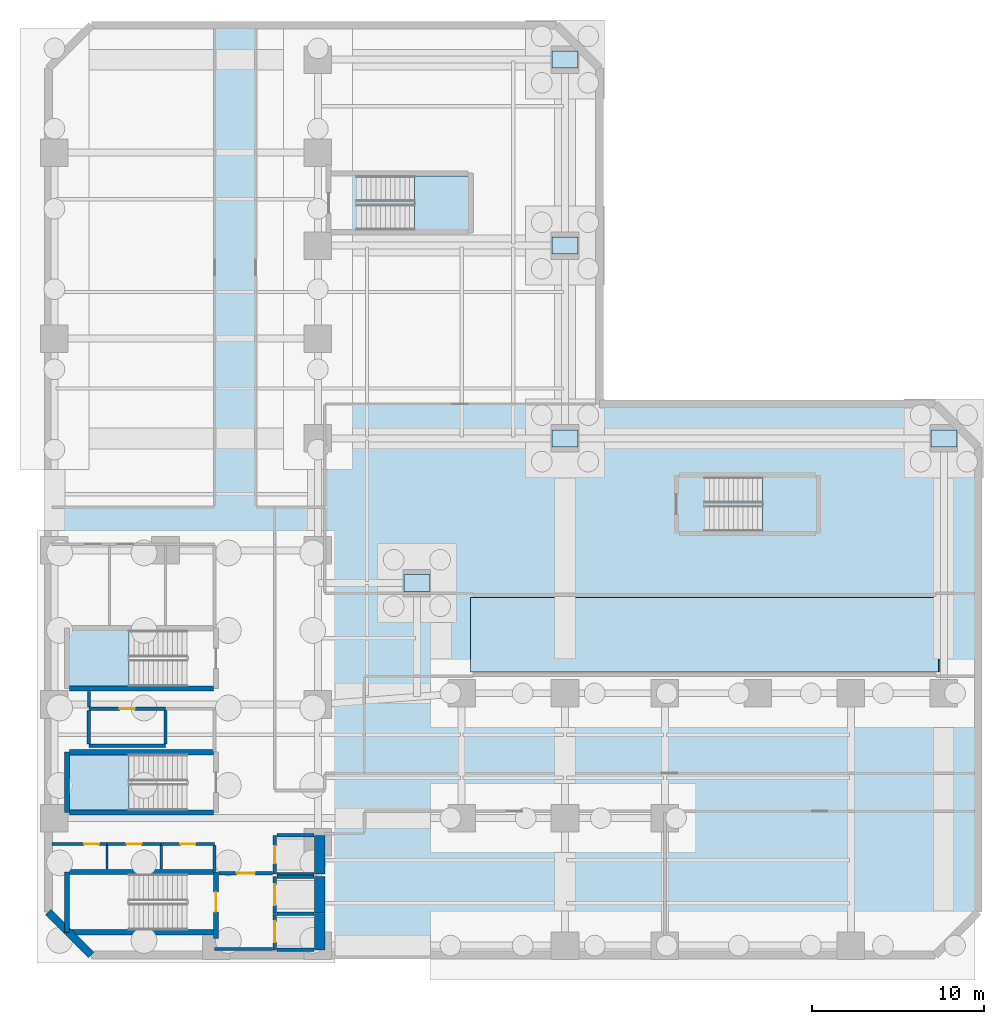
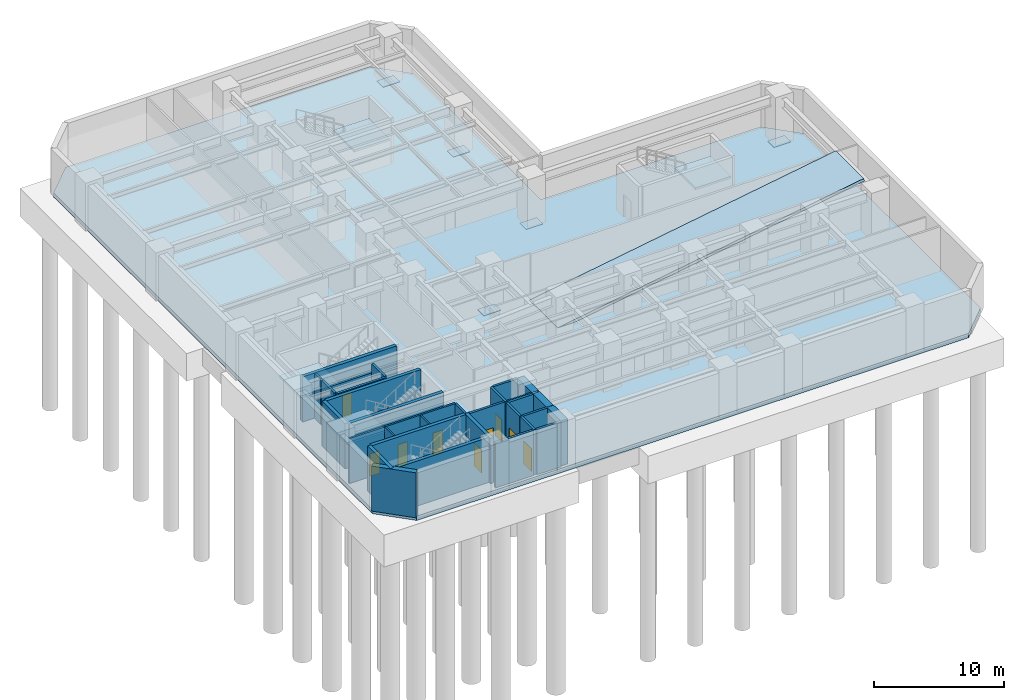
# One storey, part 3 of 10: 33 walls, 9 doors, 6 slabs, 5 plates, 9 openings, 4 elements without a shape of their own.
"""IFC4 building model written with IfcOpenShell, lengths in metres."""

from ifc_helpers import new_model, si_unit, direction, frame, frame_2d, origin, origin_2d, place, context, subcontext, project, spatial, polyline, rectangle, outline, extrude, material, layer, layer_set, type_object, element, fill, aggregate, save


model = new_model("IFC4")

# Units and contexts
model_context = context("Model", 3, precision=1e-05, world=origin(), true_north=direction((0.0, 1.0)))
body_context = subcontext(model_context, "Body", "Model", "MODEL_VIEW")
ifc_project = project(units=[si_unit("LENGTHUNIT", "METRE"), si_unit("AREAUNIT", "SQUARE_METRE"), si_unit("VOLUMEUNIT", "CUBIC_METRE"), si_unit("PLANEANGLEUNIT", "RADIAN"), si_unit("MASSUNIT", "GRAM", prefix="KILO")], contexts=[model_context])

# Site, building, storey
site_placement = place(None, origin())
site = spatial("IfcSite", under=ifc_project, at=site_placement, CompositionType="ELEMENT")
building_placement = place(site_placement, origin())
building = spatial("IfcBuilding", under=site, at=building_placement, Name="Mawjaban Terraces University", CompositionType="ELEMENT")
storey_placement = place(building_placement, frame((0.0, 0.0, -9.0)))
storey = spatial("IfcBuildingStorey", under=building, at=storey_placement, Name="B2", CompositionType="ELEMENT", Elevation=-9.0)

# Slab
ifc_material_1 = material(Name="Concrete C50/60", Category="concrete")
ifc_layer_1 = layer(ifc_material_1, 0.39990234375)
ifc_layer_set_1 = layer_set([ifc_layer_1], Name="Concrete C50/60")
slab_type_1 = type_object("IfcSlabType", Name="BaseSlab_400", PredefinedType="BASESLAB", material=ifc_layer_set_1)
slab_1_placement = place(storey_placement, frame((0.0, 0.0, -0.39990234375)))
element("IfcSlab", 1, at=slab_1_placement, inside=storey, type_object=slab_type_1, Name="B2 Primary Structural Slab", PredefinedType="BASESLAB", context=body_context, shape_type="SweptSolid", body=[
    extrude(outline(polyline([(24.5, 0.0), (73.5, 0.0), (76.0, 2.5), (76.0, 29.5), (73.5, 32.0), (54.0, 32.0), (54.0, 51.5), (51.5, 54.0), (24.5, 54.0), (22.0, 51.5), (22.0, 2.5), (24.5, 0.0)])), origin(), (0.0, 0.0, 1.0), 0.39990234375),
])

# Plates
ifc_material_2 = material(Name="Steel ASTM A572 Grade 50", Category="steel")
ifc_layer_2 = layer(ifc_material_2, 0.06005859375)
ifc_layer_set_2 = layer_set([ifc_layer_2], Name="Steel ASTM A572 Grade 50")
plate_type = type_object("IfcPlateType", Name="ColumnBasePlate_60", PredefinedType="USERDEFINED", material=ifc_layer_set_2)
for number, where, z_axis, x_axis, name in (
    (2, (43.39990234375, 21.60009765625, -0.400146484375), (0.0, 0.0, 1.0), (1.0, 0.0, 0.0), "Base Plate TS1"),
    (3, (52.0, 30.0, -0.400146484375), (0.0, 0.0, 1.0), (1.0, 0.0, 0.0), "Base Plate PM1"),
    (4, (74.0, 30.0, -0.400146484375), (0.0, 0.0, 1.0), (1.0, 0.0, 0.0), "Base Plate PM2"),
    (5, (52.0, 41.199951171875, -0.400146484375), (0.0, 0.0, 1.0), (1.0, 0.0, 0.0), "Base Plate PM3"),
    (6, (52.0, 52.0, -0.400146484375), (0.0, 0.0, 1.0), (1.0, 0.0, 0.0), "Base Plate PM4"),
):
    element("IfcPlate", number, at=place(storey_placement, frame(where, z_axis=z_axis, x_axis=x_axis)), inside=storey, type_object=plate_type, Name=name, ObjectType="BASE_PLATE", PredefinedType="USERDEFINED", context=body_context, shape_type="SweptSolid", body=[
        extrude(rectangle(XDim=1.5, YDim=1.0, at=origin_2d()), origin(), (0.0, 0.0, 1.0), 0.06005859375),
    ])

# Stair, slab
ifc_material_3 = material(Name="Concrete C40/50", Category="concrete")
stair_type_1 = type_object("IfcStairType", Name="Stair_Core1550_H45", PredefinedType="HALF_TURN_STAIR", material=ifc_material_3)
stair_1_placement = place(storey_placement, origin())
stair_1 = element("IfcStair", 7, at=stair_1_placement, inside=storey, type_object=stair_type_1, Name="B2 Core Exit Stair 2", PredefinedType="HALF_TURN_STAIR")
ifc_layer_3 = layer(ifc_material_3, 0.199951171875)
ifc_layer_set_3 = layer_set([ifc_layer_3], Name="Concrete C40/50")
slab_type_2 = type_object("IfcSlabType", Name="StairLandingSlab_200", PredefinedType="LANDING", material=ifc_layer_set_3)
slab_2_placement = place(storey_placement, frame((0.0, 0.0, 2.050048828125)))
slab_2 = element("IfcSlab", 8, at=slab_2_placement, type_object=slab_type_2, Name="ST-2 landing 1", PredefinedType="LANDING", context=body_context, shape_type="SweptSolid", body=[
    extrude(outline(polyline([(26.68994140625, 18.85009765625), (23.199951171875, 18.85009765625), (23.199951171875, 15.60009765625), (26.68994140625, 15.60009765625), (26.68994140625, 18.85009765625)])), origin(), (0.0, 0.0, 1.0), 0.199951171875),
])
aggregate(stair_1, [slab_2])

stair_2_placement = place(storey_placement, origin())
stair_2 = element("IfcStair", 9, at=stair_2_placement, inside=storey, type_object=stair_type_1, Name="B2 Core Exit Stair 3", PredefinedType="HALF_TURN_STAIR")
slab_3_placement = place(storey_placement, frame((0.0, 0.0, 2.050048828125)))
slab_3 = element("IfcSlab", 10, at=slab_3_placement, type_object=slab_type_2, Name="ST-3 landing 1", PredefinedType="LANDING", context=body_context, shape_type="SweptSolid", body=[
    extrude(outline(polyline([(26.68994140625, 11.64990234375), (23.199951171875, 11.64990234375), (23.199951171875, 8.39990234375), (26.68994140625, 8.39990234375), (26.68994140625, 11.64990234375)])), origin(), (0.0, 0.0, 1.0), 0.199951171875),
])
aggregate(stair_2, [slab_3])

stair_type_2 = type_object("IfcStairType", Name="Stair_Pod1500_H45", PredefinedType="HALF_TURN_STAIR", material=ifc_material_3)
stair_3_placement = place(storey_placement, origin())
stair_3 = element("IfcStair", 11, at=stair_3_placement, inside=storey, type_object=stair_type_2, Name="B2 Podium North Exit Stair 4", PredefinedType="HALF_TURN_STAIR")
slab_4_placement = place(storey_placement, frame((0.0, 0.0, 2.050048828125)))
slab_4 = element("IfcSlab", 12, at=slab_4_placement, type_object=slab_type_2, Name="ST-4 landing 1", PredefinedType="LANDING", context=body_context, shape_type="SweptSolid", body=[
    extrude(outline(polyline([(43.260009765625, 42.10009765625), (46.39990234375, 42.10009765625), (46.39990234375, 45.25), (43.260009765625, 45.25), (43.260009765625, 42.10009765625)])), origin(), (0.0, 0.0, 1.0), 0.199951171875),
])
aggregate(stair_3, [slab_4])

stair_4_placement = place(storey_placement, origin())
stair_4 = element("IfcStair", 13, at=stair_4_placement, inside=storey, type_object=stair_type_2, Name="B2 Podium East Exit Stair 5", PredefinedType="HALF_TURN_STAIR")
slab_5_placement = place(storey_placement, frame((0.0, 0.0, 2.050048828125)))
slab_5 = element("IfcSlab", 14, at=slab_5_placement, type_object=slab_type_2, Name="ST-5 landing 1", PredefinedType="LANDING", context=body_context, shape_type="SweptSolid", body=[
    extrude(outline(polyline([(63.4599609375, 24.60009765625), (66.60009765625, 24.60009765625), (66.60009765625, 27.75), (63.4599609375, 27.75), (63.4599609375, 24.60009765625)])), origin(), (0.0, 0.0, 1.0), 0.199951171875),
])
aggregate(stair_4, [slab_5])

# Slab
ifc_layer_4 = layer(ifc_material_3, 0.260009765625)
ifc_layer_set_4 = layer_set([ifc_layer_4], Name="Concrete C40/50")
slab_type_3 = type_object("IfcSlabType", Name="VehicleRampSlab_260", PredefinedType="FLOOR", material=ifc_layer_set_4)
slab_6_placement = place(storey_placement, frame((46.5, 16.449951171875, 0.0), z_axis=(-0.163222777275, 0.0, 0.986589238224), x_axis=(0.986589238224, 0.0, 0.163222777275)))
element("IfcSlab", 15, at=slab_6_placement, inside=storey, type_object=slab_type_3, Name="B2 Structural Vehicle Ramp Slab VR-01 VRF-01", PredefinedType="FLOOR", context=body_context, shape_type="SweptSolid", body=[
    extrude(outline(polyline([(0.0, 0.0), (27.569681604116944, 0.0), (27.569681604116944, 4.300048828125), (0.0, 4.300048828125), (0.0, 0.0)])), origin(), (0.0, 0.0, -1.0), 0.260009765625),
])

# Walls
ifc_layer_5 = layer(ifc_material_1, 0.449951171875)
ifc_layer_set_5 = layer_set([ifc_layer_5], Name="Concrete C50/60")
wall_type_1 = type_object("IfcWallType", Name="BsmtRetainingWall_450", PredefinedType="USERDEFINED", material=ifc_layer_set_5)
wall_1_placement = place(storey_placement, frame((22.0, 2.5, 0.0), z_axis=(0.0, 0.0, 1.0), x_axis=(0.707106781187, -0.707106781187, 0.0)))
element("IfcWall", 16, at=wall_1_placement, inside=storey, type_object=wall_type_1, Name="B2 Perimeter Retaining Wall 11", ObjectType="RETAININGWALL", PredefinedType="USERDEFINED", context=body_context, shape_type="SweptSolid", body=[
    extrude(rectangle(XDim=3.53564453125, YDim=0.449951171875, at=frame_2d((1.767822265625, 0.0))), origin(), (0.0, 0.0, 1.0), 4.219970703125),
])
ifc_material_4 = material(Name="Concrete C70/85", Category="concrete")
ifc_layer_6 = layer(ifc_material_4, 0.60009765625)
ifc_layer_set_6 = layer_set([ifc_layer_6], Name="Concrete C70/85")
wall_type_2 = type_object("IfcWallType", Name="CoreShearWall_600", PredefinedType="SHEAR", material=ifc_layer_set_6)
wall_2_placement = place(storey_placement, frame((37.75, 0.300048828125, 0.0), z_axis=(0.0, 0.0, 1.0), x_axis=(0.0, 1.0, 0.0)))
element("IfcWall", 17, at=wall_2_placement, inside=storey, type_object=wall_type_2, Name="B2 Lift FL-1 Hoistway Wall East", PredefinedType="SHEAR", context=body_context, shape_type="SweptSolid", body=[
    extrude(rectangle(XDim=2.099853515625, YDim=0.60009765625, at=frame_2d((1.0498046875, 0.0))), origin(), (0.0, 0.0, 1.0), 4.219970703125),
])
wall_3_placement = place(storey_placement, frame((37.75, 2.449951171875, 0.0), z_axis=(0.0, 0.0, 1.0), x_axis=(0.0, 1.0, 0.0)))
element("IfcWall", 18, at=wall_3_placement, inside=storey, type_object=wall_type_2, Name="B2 Lift FL-2 Hoistway Wall East", PredefinedType="SHEAR", context=body_context, shape_type="SweptSolid", body=[
    extrude(rectangle(XDim=2.10009765625, YDim=0.60009765625, at=frame_2d((1.050048828125, 0.0))), origin(), (0.0, 0.0, 1.0), 4.219970703125),
])
wall_4_placement = place(storey_placement, frame((37.75, 4.699951171875, 0.0), z_axis=(0.0, 0.0, 1.0), x_axis=(0.0, 1.0, 0.0)))
element("IfcWall", 19, at=wall_4_placement, inside=storey, type_object=wall_type_2, Name="B2 Lift SL-1 Hoistway Wall East", PredefinedType="SHEAR", context=body_context, shape_type="SweptSolid", body=[
    extrude(rectangle(XDim=2.25, YDim=0.60009765625, at=frame_2d((1.125, 0.0))), origin(), (0.0, 0.0, 1.0), 4.219970703125),
])

# Wall, opening, door
ifc_material_5 = material(Name="Fire-rated gypsum board on steel stud", Category="steel")
ifc_layer_7 = layer(ifc_material_5, 0.159912109375)
ifc_layer_set_7 = layer_set([ifc_layer_7], Name="Fire-rated gypsum board on steel stud")
wall_type_3 = type_object("IfcWallType", Name="CorridorPartition_160", PredefinedType="PARTITIONING", material=ifc_layer_set_7)
wall_5_placement = place(storey_placement, frame((22.219970703125, 6.449951171875, 0.0), z_axis=(0.0, 0.0, 1.0), x_axis=(1.0, 0.0, 0.0)))
wall_5 = element("IfcWall", 20, at=wall_5_placement, inside=storey, type_object=wall_type_3, Name="B2 Core Washroom Lobby Partition 1", PredefinedType="PARTITIONING", context=body_context, shape_type="SweptSolid", body=[
    extrude(rectangle(XDim=3.179931640625, YDim=0.159912109375, at=frame_2d((1.58984375, 0.0))), origin(), (0.0, 0.0, 1.0), 4.219970703125),
])
opening_1_placement = place(wall_5_placement, frame((1.85009765625, 0.0, 0.0)))
opening_1 = element("IfcOpeningElement", 21, at=opening_1_placement, cuts=wall_5, Name="Opening ID-088", PredefinedType="OPENING", context=body_context, shape_type="SweptSolid", body=[
    extrude(rectangle(XDim=0.8798828125, YDim=2.10009765625, at=frame_2d((0.43994140625, 1.050048828125))), frame((0.0, 0.08984375, 0.0), z_axis=(0.0, -1.0, 0.0), x_axis=(1.0, 0.0, 0.0)), (0.0, 0.0, 1.0), 0.179931640625),
])
ifc_material_6 = material(Name="Powder-coated steel frame and solid acoustic timber leaf", Category="steel")
door_type_1 = type_object("IfcDoorType", Name="ToiletDoor_880x2100", OperationType="NOTDEFINED", PredefinedType="DOOR", material=ifc_material_6)
door_1_placement = place(opening_1_placement, origin())
door_1 = element("IfcDoor", 22, at=door_1_placement, inside=storey, type_object=door_type_1, Name="B2 Male Toilet Door", OperationType="SINGLE_SWING_RIGHT", OverallHeight=2.10009765625, OverallWidth=0.8798828125, PredefinedType="DOOR", context=body_context, shape_type="SweptSolid", body=[
    extrude(rectangle(XDim=0.8798828125, YDim=2.10009765625, at=frame_2d((0.43994140625, 1.050048828125))), frame((0.0, 0.02490234375, 0.0), z_axis=(0.0, -1.0, 0.0), x_axis=(1.0, 0.0, 0.0)), (0.0, 0.0, 1.0), 0.050048828125),
])
fill(opening_1, door_1)

wall_6_placement = place(storey_placement, frame((25.39990234375, 6.449951171875, 0.0), z_axis=(0.0, 0.0, 1.0), x_axis=(1.0, 0.0, 0.0)))
wall_6 = element("IfcWall", 23, at=wall_6_placement, inside=storey, type_object=wall_type_3, Name="B2 Core Washroom Lobby Partition 4", PredefinedType="PARTITIONING", context=body_context, shape_type="SweptSolid", body=[
    extrude(rectangle(XDim=3.150146484375, YDim=0.159912109375, at=frame_2d((1.5751953125, 0.0))), origin(), (0.0, 0.0, 1.0), 4.219970703125),
])
opening_2_placement = place(wall_6_placement, frame((1.135009765625, 0.0, 0.0)))
opening_2 = element("IfcOpeningElement", 24, at=opening_2_placement, cuts=wall_6, Name="Opening ID-088", PredefinedType="OPENING", context=body_context, shape_type="SweptSolid", body=[
    extrude(rectangle(XDim=0.8798828125, YDim=2.10009765625, at=frame_2d((0.43994140625, 1.050048828125))), frame((0.0, 0.08984375, 0.0), z_axis=(0.0, -1.0, 0.0), x_axis=(1.0, 0.0, 0.0)), (0.0, 0.0, 1.0), 0.179931640625),
])
door_2_placement = place(opening_2_placement, origin())
door_2 = element("IfcDoor", 25, at=door_2_placement, inside=storey, type_object=door_type_1, Name="B2 Female Toilet Door", OperationType="SINGLE_SWING_LEFT", OverallHeight=2.10009765625, OverallWidth=0.8798828125, PredefinedType="DOOR", context=body_context, shape_type="SweptSolid", body=[
    extrude(rectangle(XDim=0.8798828125, YDim=2.10009765625, at=frame_2d((0.43994140625, 1.050048828125))), frame((0.0, 0.02490234375, 0.0), z_axis=(0.0, -1.0, 0.0), x_axis=(1.0, 0.0, 0.0)), (0.0, 0.0, 1.0), 0.050048828125),
])
fill(opening_2, door_2)

wall_7_placement = place(storey_placement, frame((28.550048828125, 6.449951171875, 0.0), z_axis=(0.0, 0.0, 1.0), x_axis=(1.0, 0.0, 0.0)))
wall_7 = element("IfcWall", 26, at=wall_7_placement, inside=storey, type_object=wall_type_3, Name="B2 Core Washroom Lobby Partition 6", PredefinedType="PARTITIONING", context=body_context, shape_type="SweptSolid", body=[
    extrude(rectangle(XDim=3.099853515625, YDim=0.159912109375, at=frame_2d((1.5498046875, 0.0))), origin(), (0.0, 0.0, 1.0), 4.219970703125),
])
opening_3_placement = place(wall_7_placement, frame((1.110107421875, 0.0, 0.0)))
opening_3 = element("IfcOpeningElement", 27, at=opening_3_placement, cuts=wall_7, Name="Opening ID-088", PredefinedType="OPENING", context=body_context, shape_type="SweptSolid", body=[
    extrude(rectangle(XDim=0.8798828125, YDim=2.10009765625, at=frame_2d((0.43994140625, 1.050048828125))), frame((0.0, 0.08984375, 0.0), z_axis=(0.0, -1.0, 0.0), x_axis=(1.0, 0.0, 0.0)), (0.0, 0.0, 1.0), 0.179931640625),
])
door_3_placement = place(opening_3_placement, origin())
door_3 = element("IfcDoor", 28, at=door_3_placement, inside=storey, type_object=door_type_1, Name="B2 Accessible Toilet Door", OperationType="SINGLE_SWING_RIGHT", OverallHeight=2.10009765625, OverallWidth=0.8798828125, PredefinedType="DOOR", context=body_context, shape_type="SweptSolid", body=[
    extrude(rectangle(XDim=0.8798828125, YDim=2.10009765625, at=frame_2d((0.43994140625, 1.050048828125))), frame((0.0, 0.02490234375, 0.0), z_axis=(0.0, -1.0, 0.0), x_axis=(1.0, 0.0, 0.0)), (0.0, 0.0, 1.0), 0.050048828125),
])
fill(opening_3, door_3)

# Walls
wall_8_placement = place(storey_placement, frame((24.35009765625, 15.2900390625, 0.0), z_axis=(0.0, 0.0, 1.0), x_axis=(0.0, -1.0, 0.0)))
element("IfcWall", 29, at=wall_8_placement, inside=storey, type_object=wall_type_3, Name="B2 Core Riser Access Passage Partition 27", PredefinedType="PARTITIONING", context=body_context, shape_type="SweptSolid", body=[
    extrude(rectangle(XDim=0.89501953125, YDim=0.159912109375, at=frame_2d((0.447509765625, 0.0))), origin(), (0.0, 0.0, 1.0), 4.219970703125),
])
wall_9_placement = place(storey_placement, frame((31.64990234375, 4.860107421875, 0.0), z_axis=(0.0, 0.0, 1.0), x_axis=(0.0, 1.0, 0.0)))
element("IfcWall", 30, at=wall_9_placement, inside=storey, type_object=wall_type_3, Name="B2 Accessible Toilet Partition 33", PredefinedType="PARTITIONING", context=body_context, shape_type="SweptSolid", body=[
    extrude(rectangle(XDim=1.514892578125, YDim=0.159912109375, at=frame_2d((0.75732421875, 0.0))), origin(), (0.0, 0.0, 1.0), 4.219970703125),
])

# Wall, opening, door
ifc_layer_8 = layer(ifc_material_3, 0.199951171875)
ifc_layer_set_8 = layer_set([ifc_layer_8], Name="Concrete C40/50")
wall_type_4 = type_object("IfcWallType", Name="FireLobbyWall_200", PredefinedType="SOLIDWALL", material=ifc_layer_set_8)
wall_10_placement = place(storey_placement, frame((35.14990234375, 2.39990234375, 0.0), z_axis=(0.0, 0.0, 1.0), x_axis=(0.0, -1.0, 0.0)))
wall_10 = element("IfcWall", 31, at=wall_10_placement, inside=storey, type_object=wall_type_4, Name="B2 Lift FL-1 Hoistway Wall West", PredefinedType="SOLIDWALL", context=body_context, shape_type="SweptSolid", body=[
    extrude(rectangle(XDim=2.099853515625, YDim=0.199951171875, at=frame_2d((1.0498046875, 0.0))), origin(), (0.0, 0.0, 1.0), 4.219970703125),
])
opening_4_placement = place(wall_10_placement, frame((0.449951171875, 0.0, 0.0)))
opening_4 = element("IfcOpeningElement", 32, at=opening_4_placement, cuts=wall_10, Name="Opening LD-FL-1", PredefinedType="OPENING", context=body_context, shape_type="SweptSolid", body=[
    extrude(rectangle(XDim=1.199951171875, YDim=2.14990234375, at=frame_2d((0.60009765625, 1.074951171875))), frame((0.0, 0.10986328125, 0.0), z_axis=(0.0, -1.0, 0.0), x_axis=(1.0, 0.0, 0.0)), (0.0, 0.0, 1.0), 0.219970703125),
])
ifc_material_7 = material(Name="Powder-coated steel frame and fire-rated steel-faced leaf", Category="steel")
door_type_2 = type_object("IfcDoorType", Name="LiftLandingFSAE_1200x2150", OperationType="NOTDEFINED", PredefinedType="DOOR", material=ifc_material_7)
door_4_placement = place(opening_4_placement, origin())
door_4 = element("IfcDoor", 33, at=door_4_placement, inside=storey, type_object=door_type_2, Name="B2 Lift FL-1 Sliding Landing Door", OperationType="DOUBLE_DOOR_SLIDING", OverallHeight=2.14990234375, OverallWidth=1.199951171875, PredefinedType="DOOR", context=body_context, shape_type="SweptSolid", body=[
    extrude(rectangle(XDim=1.199951171875, YDim=2.14990234375, at=frame_2d((0.60009765625, 1.074951171875))), frame((0.0, 0.02490234375, 0.0), z_axis=(0.0, -1.0, 0.0), x_axis=(1.0, 0.0, 0.0)), (0.0, 0.0, 1.0), 0.050048828125),
])
fill(opening_4, door_4)

# Walls
for number, where, z_axis, x_axis, name in (
    (34, (35.280029296875, 0.300048828125, 0.0), (0.0, 0.0, 1.0), (1.0, 0.0, 0.0), "B2 Lift FL-1 Hoistway Wall South"),
    (35, (37.419921875, 2.39990234375, 0.0), (0.0, 0.0, 1.0), (-1.0, 0.0, 0.0), "B2 Lift FL-1 Hoistway Wall North"),
):
    element("IfcWall", number, at=place(storey_placement, frame(where, z_axis=z_axis, x_axis=x_axis)), inside=storey, type_object=wall_type_4, Name=name, PredefinedType="SOLIDWALL", context=body_context, shape_type="SweptSolid", body=[
        extrude(rectangle(XDim=2.139892578125, YDim=0.199951171875, at=frame_2d((1.06982421875, 0.0))), origin(), (0.0, 0.0, 1.0), 4.219970703125),
    ])

# Wall, opening, door
wall_11_placement = place(storey_placement, frame((35.14990234375, 4.550048828125, 0.0), z_axis=(0.0, 0.0, 1.0), x_axis=(0.0, -1.0, 0.0)))
wall_11 = element("IfcWall", 36, at=wall_11_placement, inside=storey, type_object=wall_type_4, Name="B2 Lift FL-2 Hoistway Wall West", PredefinedType="SOLIDWALL", context=body_context, shape_type="SweptSolid", body=[
    extrude(rectangle(XDim=2.10009765625, YDim=0.199951171875, at=frame_2d((1.050048828125, 0.0))), origin(), (0.0, 0.0, 1.0), 4.219970703125),
])
opening_5_placement = place(wall_11_placement, frame((0.449951171875, 0.0, 0.0)))
opening_5 = element("IfcOpeningElement", 37, at=opening_5_placement, cuts=wall_11, Name="Opening LD-FL-2", PredefinedType="OPENING", context=body_context, shape_type="SweptSolid", body=[
    extrude(rectangle(XDim=1.199951171875, YDim=2.14990234375, at=frame_2d((0.60009765625, 1.074951171875))), frame((0.0, 0.10986328125, 0.0), z_axis=(0.0, -1.0, 0.0), x_axis=(1.0, 0.0, 0.0)), (0.0, 0.0, 1.0), 0.219970703125),
])
door_5_placement = place(opening_5_placement, origin())
door_5 = element("IfcDoor", 38, at=door_5_placement, inside=storey, type_object=door_type_2, Name="B2 Lift FL-2 Sliding Landing Door", OperationType="DOUBLE_DOOR_SLIDING", OverallHeight=2.14990234375, OverallWidth=1.199951171875, PredefinedType="DOOR", context=body_context, shape_type="SweptSolid", body=[
    extrude(rectangle(XDim=1.199951171875, YDim=2.14990234375, at=frame_2d((0.60009765625, 1.074951171875))), frame((0.0, 0.02490234375, 0.0), z_axis=(0.0, -1.0, 0.0), x_axis=(1.0, 0.0, 0.0)), (0.0, 0.0, 1.0), 0.050048828125),
])
fill(opening_5, door_5)

# Wall
wall_12_placement = place(storey_placement, frame((37.419921875, 4.550048828125, 0.0), z_axis=(0.0, 0.0, 1.0), x_axis=(-1.0, 0.0, 0.0)))
element("IfcWall", 39, at=wall_12_placement, inside=storey, type_object=wall_type_4, Name="B2 Lift FL-2 Hoistway Wall North", PredefinedType="SOLIDWALL", context=body_context, shape_type="SweptSolid", body=[
    extrude(rectangle(XDim=2.139892578125, YDim=0.199951171875, at=frame_2d((1.06982421875, 0.0))), origin(), (0.0, 0.0, 1.0), 4.219970703125),
])

# Wall, opening, door
wall_13_placement = place(storey_placement, frame((35.14990234375, 6.949951171875, 0.0), z_axis=(0.0, 0.0, 1.0), x_axis=(0.0, -1.0, 0.0)))
wall_13 = element("IfcWall", 40, at=wall_13_placement, inside=storey, type_object=wall_type_4, Name="B2 Lift SL-1 Hoistway Wall West", PredefinedType="SOLIDWALL", context=body_context, shape_type="SweptSolid", body=[
    extrude(rectangle(XDim=2.25, YDim=0.199951171875, at=frame_2d((1.125, 0.0))), origin(), (0.0, 0.0, 1.0), 4.219970703125),
])
opening_6_placement = place(wall_13_placement, frame((0.625, 0.0, 0.0)))
opening_6 = element("IfcOpeningElement", 41, at=opening_6_placement, cuts=wall_13, Name="Opening LD-SL-1", PredefinedType="OPENING", context=body_context, shape_type="SweptSolid", body=[
    extrude(rectangle(XDim=1.0, YDim=2.10009765625, at=frame_2d((0.5, 1.050048828125))), frame((0.0, 0.10986328125, 0.0), z_axis=(0.0, -1.0, 0.0), x_axis=(1.0, 0.0, 0.0)), (0.0, 0.0, 1.0), 0.219970703125),
])
door_type_3 = type_object("IfcDoorType", Name="LiftLandingSliding_1000x2100", OperationType="NOTDEFINED", PredefinedType="DOOR", material=ifc_material_7)
door_6_placement = place(opening_6_placement, origin())
door_6 = element("IfcDoor", 42, at=door_6_placement, inside=storey, type_object=door_type_3, Name="B2 Lift SL-1 Sliding Landing Door", OperationType="DOUBLE_DOOR_SLIDING", OverallHeight=2.10009765625, OverallWidth=1.0, PredefinedType="DOOR", context=body_context, shape_type="SweptSolid", body=[
    extrude(rectangle(XDim=1.0, YDim=2.10009765625, at=frame_2d((0.5, 1.050048828125))), frame((0.0, 0.02490234375, 0.0), z_axis=(0.0, -1.0, 0.0), x_axis=(1.0, 0.0, 0.0)), (0.0, 0.0, 1.0), 0.050048828125),
])
fill(opening_6, door_6)

# Walls
for number, where, z_axis, x_axis, name in (
    (43, (35.280029296875, 4.699951171875, 0.0), (0.0, 0.0, 1.0), (1.0, 0.0, 0.0), "B2 Lift SL-1 Hoistway Wall South"),
    (44, (37.419921875, 6.949951171875, 0.0), (0.0, 0.0, 1.0), (-1.0, 0.0, 0.0), "B2 Lift SL-1 Hoistway Wall North"),
):
    element("IfcWall", number, at=place(storey_placement, frame(where, z_axis=z_axis, x_axis=x_axis)), inside=storey, type_object=wall_type_4, Name=name, PredefinedType="SOLIDWALL", context=body_context, shape_type="SweptSolid", body=[
        extrude(rectangle(XDim=2.139892578125, YDim=0.199951171875, at=frame_2d((1.06982421875, 0.0))), origin(), (0.0, 0.0, 1.0), 4.219970703125),
    ])
wall_14_placement = place(storey_placement, frame((24.35009765625, 12.14990234375, 0.0), z_axis=(0.0, 0.0, 1.0), x_axis=(1.0, 0.0, 0.0)))
element("IfcWall", 45, at=wall_14_placement, inside=storey, type_object=wall_type_4, Name="B2 IT and Telecoms Riser Room Partition 2", PredefinedType="SOLIDWALL", context=body_context, shape_type="SweptSolid", body=[
    extrude(rectangle(XDim=4.449951171875, YDim=0.199951171875, at=frame_2d((2.22509765625, 0.0))), origin(), (0.0, 0.0, 1.0), 4.219970703125),
])

# Wall, opening, door
wall_15_placement = place(storey_placement, frame((24.35009765625, 14.300048828125, 0.0), z_axis=(0.0, 0.0, 1.0), x_axis=(1.0, 0.0, 0.0)))
wall_15 = element("IfcWall", 46, at=wall_15_placement, inside=storey, type_object=wall_type_4, Name="B2 Core Riser Access Passage Partition 3", PredefinedType="SOLIDWALL", context=body_context, shape_type="SweptSolid", body=[
    extrude(rectangle(XDim=4.449951171875, YDim=0.199951171875, at=frame_2d((2.22509765625, 0.0))), origin(), (0.0, 0.0, 1.0), 3.364990234375),
])
opening_7_placement = place(wall_15_placement, frame((1.800048828125, 0.0, 0.0)))
opening_7 = element("IfcOpeningElement", 47, at=opening_7_placement, cuts=wall_15, Name="Opening FD-085", PredefinedType="OPENING", context=body_context, shape_type="SweptSolid", body=[
    extrude(rectangle(XDim=0.85009765625, YDim=2.10009765625, at=frame_2d((0.425048828125, 1.050048828125))), frame((0.0, 0.10986328125, 0.0), z_axis=(0.0, -1.0, 0.0), x_axis=(1.0, 0.0, 0.0)), (0.0, 0.0, 1.0), 0.219970703125),
])
door_type_4 = type_object("IfcDoorType", Name="FireRiserDoor_850x2100", OperationType="NOTDEFINED", PredefinedType="DOOR", material=ifc_material_7)
door_7_placement = place(opening_7_placement, origin())
door_7 = element("IfcDoor", 48, at=door_7_placement, inside=storey, type_object=door_type_4, Name="B2 IT and Telecoms Riser Room Door", OperationType="SINGLE_SWING_LEFT", OverallHeight=2.10009765625, OverallWidth=0.85009765625, PredefinedType="DOOR", context=body_context, shape_type="SweptSolid", body=[
    extrude(rectangle(XDim=0.85009765625, YDim=2.10009765625, at=frame_2d((0.425048828125, 1.050048828125))), frame((0.0, 0.02490234375, 0.0), z_axis=(0.0, -1.0, 0.0), x_axis=(1.0, 0.0, 0.0)), (0.0, 0.0, 1.0), 0.050048828125),
])
fill(opening_7, door_7)

# Wall
wall_16_placement = place(storey_placement, frame((31.64990234375, 0.35009765625, 0.0), z_axis=(0.0, 0.0, 1.0), x_axis=(1.0, 0.0, 0.0)))
element("IfcWall", 49, at=wall_16_placement, inside=storey, type_object=wall_type_4, Name="B2 Firefighting Lift Lobby Partition 10", PredefinedType="SOLIDWALL", context=body_context, shape_type="SweptSolid", body=[
    extrude(rectangle(XDim=3.3701171875, YDim=0.199951171875, at=frame_2d((1.68505859375, 0.0))), origin(), (0.0, 0.0, 1.0), 4.219970703125),
])

# Wall, opening, door
wall_17_placement = place(storey_placement, frame((35.02001953125, 4.75, 0.0), z_axis=(0.0, 0.0, 1.0), x_axis=(-1.0, 0.0, 0.0)))
wall_17 = element("IfcWall", 50, at=wall_17_placement, inside=storey, type_object=wall_type_4, Name="B2 Firefighting Lift Lobby Partition 12", PredefinedType="SOLIDWALL", context=body_context, shape_type="SweptSolid", body=[
    extrude(rectangle(XDim=3.110107421875, YDim=0.199951171875, at=frame_2d((1.55517578125, 0.0))), origin(), (0.0, 0.0, 1.0), 4.219970703125),
])
opening_8_placement = place(wall_17_placement, frame((1.030029296875, 0.0, 0.0)))
opening_8 = element("IfcOpeningElement", 51, at=opening_8_placement, cuts=wall_17, Name="Opening FD-105", PredefinedType="OPENING", context=body_context, shape_type="SweptSolid", body=[
    extrude(rectangle(XDim=1.050048828125, YDim=2.14990234375, at=frame_2d((0.52490234375, 1.074951171875))), frame((0.0, 0.10986328125, 0.0), z_axis=(0.0, -1.0, 0.0), x_axis=(1.0, 0.0, 0.0)), (0.0, 0.0, 1.0), 0.219970703125),
])
door_type_5 = type_object("IfcDoorType", Name="FireLobbyDoor_1050x2150", OperationType="NOTDEFINED", PredefinedType="DOOR", material=ifc_material_7)
door_8_placement = place(opening_8_placement, origin())
door_8 = element("IfcDoor", 52, at=door_8_placement, inside=storey, type_object=door_type_5, Name="B2 Firefighting Lift Lobby Door", OperationType="SINGLE_SWING_LEFT", OverallHeight=2.14990234375, OverallWidth=1.050048828125, PredefinedType="DOOR", context=body_context, shape_type="SweptSolid", body=[
    extrude(rectangle(XDim=1.050048828125, YDim=2.14990234375, at=frame_2d((0.52490234375, 1.074951171875))), frame((0.0, 0.02490234375, 0.0), z_axis=(0.0, -1.0, 0.0), x_axis=(1.0, 0.0, 0.0)), (0.0, 0.0, 1.0), 0.050048828125),
])
fill(opening_8, door_8)

# Walls
for number, where, z_axis, x_axis, name in (
    (53, (24.35009765625, 14.205078125, 0.0), (0.0, 0.0, 1.0), (0.0, -1.0, 0.0), "B2 IT and Telecoms Riser Room Partition 26"),
    (54, (28.800048828125, 12.2451171875, 0.0), (0.0, 0.0, 1.0), (0.0, 1.0, 0.0), "B2 IT and Telecoms Riser Room Partition 31"),
):
    element("IfcWall", number, at=place(storey_placement, frame(where, z_axis=z_axis, x_axis=x_axis)), inside=storey, type_object=wall_type_4, Name=name, PredefinedType="SOLIDWALL", context=body_context, shape_type="SweptSolid", body=[
        extrude(rectangle(XDim=1.9599609375, YDim=0.199951171875, at=frame_2d((0.97998046875, 0.0))), origin(), (0.0, 0.0, 1.0), 4.219970703125),
    ])
ifc_material_8 = material(Name="Concrete C60/75", Category="concrete")
ifc_layer_9 = layer(ifc_material_8, 0.300048828125)
ifc_layer_set_9 = layer_set([ifc_layer_9], Name="Concrete C60/75")
wall_type_5 = type_object("IfcWallType", Name="StairShaftWall_300", PredefinedType="SHEAR", material=ifc_layer_set_9)
wall_18_placement = place(storey_placement, frame((31.580078125, 4.830078125, 0.0), z_axis=(0.0, 0.0, 1.0), x_axis=(-1.0, 0.0, 0.0)))
element("IfcWall", 55, at=wall_18_placement, inside=storey, type_object=wall_type_5, Name="B2 ST-1 Stair Shaft Wall 1", PredefinedType="SHEAR", context=body_context, shape_type="SweptSolid", body=[
    extrude(rectangle(XDim=8.360107421875, YDim=0.300048828125, at=frame_2d((4.18017578125, 0.0))), origin(), (0.0, 0.0, 1.0), 4.219970703125),
])
wall_19_placement = place(storey_placement, frame((23.070068359375, 4.830078125, 0.0), z_axis=(0.0, 0.0, 1.0), x_axis=(0.0, -1.0, 0.0)))
element("IfcWall", 56, at=wall_19_placement, inside=storey, type_object=wall_type_5, Name="B2 ST-1 Stair Shaft Wall 2", PredefinedType="SHEAR", context=body_context, shape_type="SweptSolid", body=[
    extrude(rectangle(XDim=3.510009765625, YDim=0.300048828125, at=frame_2d((1.7548828125, 0.0))), origin(), (0.0, 0.0, 1.0), 4.219970703125),
])
wall_20_placement = place(storey_placement, frame((23.219970703125, 1.320068359375, 0.0), z_axis=(0.0, 0.0, 1.0), x_axis=(1.0, 0.0, 0.0)))
element("IfcWall", 57, at=wall_20_placement, inside=storey, type_object=wall_type_5, Name="B2 ST-1 Stair Shaft Wall 3", PredefinedType="SHEAR", context=body_context, shape_type="SweptSolid", body=[
    extrude(rectangle(XDim=8.360107421875, YDim=0.300048828125, at=frame_2d((4.18017578125, 0.0))), origin(), (0.0, 0.0, 1.0), 4.219970703125),
])

# Wall, opening, door
wall_21_placement = place(storey_placement, frame((31.72998046875, 0.9599609375, 0.0), z_axis=(0.0, 0.0, 1.0), x_axis=(0.0, 1.0, 0.0)))
wall_21 = element("IfcWall", 58, at=wall_21_placement, inside=storey, type_object=wall_type_5, Name="B2 ST-1 Stair Shaft Wall 4", PredefinedType="SHEAR", context=body_context, shape_type="SweptSolid", body=[
    extrude(rectangle(XDim=3.8701171875, YDim=0.300048828125, at=frame_2d((1.93505859375, 0.0))), origin(), (0.0, 0.0, 1.0), 4.219970703125),
])
opening_9_placement = place(wall_21_placement, frame((1.5400390625, 0.0, 0.0)))
opening_9 = element("IfcOpeningElement", 59, at=opening_9_placement, cuts=wall_21, Name="Opening FD-115", PredefinedType="OPENING", context=body_context, shape_type="SweptSolid", body=[
    extrude(rectangle(XDim=1.14990234375, YDim=2.14990234375, at=frame_2d((0.574951171875, 1.074951171875))), frame((0.0, 0.159912109375, 0.0), z_axis=(0.0, -1.0, 0.0), x_axis=(1.0, 0.0, 0.0)), (0.0, 0.0, 1.0), 0.320068359375),
])
door_type_6 = type_object("IfcDoorType", Name="FireStairDoor_1150x2150", OperationType="NOTDEFINED", PredefinedType="DOOR", material=ifc_material_7)
door_9_placement = place(opening_9_placement, origin())
door_9 = element("IfcDoor", 60, at=door_9_placement, inside=storey, type_object=door_type_6, Name="B2 ST-1 Pressurised Stair Fire Door", OperationType="SINGLE_SWING_RIGHT", OverallHeight=2.14990234375, OverallWidth=1.14990234375, PredefinedType="DOOR", context=body_context, shape_type="SweptSolid", body=[
    extrude(rectangle(XDim=1.14990234375, YDim=2.14990234375, at=frame_2d((0.574951171875, 1.074951171875))), frame((0.0, 0.02490234375, 0.0), z_axis=(0.0, -1.0, 0.0), x_axis=(1.0, 0.0, 0.0)), (0.0, 0.0, 1.0), 0.050048828125),
])
fill(opening_9, door_9)

# Walls
for number, where, z_axis, x_axis, name in (
    (61, (23.219970703125, 15.469970703125, 0.0), (0.0, 0.0, 1.0), (1.0, 0.0, 0.0), "B2 ST-2 Stair Shaft Wall 3"),
    (62, (31.580078125, 11.780029296875, 0.0), (0.0, 0.0, 1.0), (-1.0, 0.0, 0.0), "B2 ST-3 Stair Shaft Wall 1"),
):
    element("IfcWall", number, at=place(storey_placement, frame(where, z_axis=z_axis, x_axis=x_axis)), inside=storey, type_object=wall_type_5, Name=name, PredefinedType="SHEAR", context=body_context, shape_type="SweptSolid", body=[
        extrude(rectangle(XDim=8.360107421875, YDim=0.300048828125, at=frame_2d((4.18017578125, 0.0))), origin(), (0.0, 0.0, 1.0), 4.219970703125),
    ])
wall_22_placement = place(storey_placement, frame((23.070068359375, 11.780029296875, 0.0), z_axis=(0.0, 0.0, 1.0), x_axis=(0.0, -1.0, 0.0)))
element("IfcWall", 63, at=wall_22_placement, inside=storey, type_object=wall_type_5, Name="B2 ST-3 Stair Shaft Wall 2", PredefinedType="SHEAR", context=body_context, shape_type="SweptSolid", body=[
    extrude(rectangle(XDim=3.510009765625, YDim=0.300048828125, at=frame_2d((1.7548828125, 0.0))), origin(), (0.0, 0.0, 1.0), 4.219970703125),
])
wall_23_placement = place(storey_placement, frame((23.219970703125, 8.27001953125, 0.0), z_axis=(0.0, 0.0, 1.0), x_axis=(1.0, 0.0, 0.0)))
element("IfcWall", 64, at=wall_23_placement, inside=storey, type_object=wall_type_5, Name="B2 ST-3 Stair Shaft Wall 3", PredefinedType="SHEAR", context=body_context, shape_type="SweptSolid", body=[
    extrude(rectangle(XDim=8.360107421875, YDim=0.300048828125, at=frame_2d((4.18017578125, 0.0))), origin(), (0.0, 0.0, 1.0), 4.219970703125),
])
ifc_material_9 = material(Name="Cement-board wet-room partition", Category="masonry")
ifc_layer_10 = layer(ifc_material_9, 0.135009765625)
ifc_layer_set_10 = layer_set([ifc_layer_10], Name="Cement-board wet-room partition")
wall_type_6 = type_object("IfcWallType", Name="WetRoomPartition_135", PredefinedType="PARTITIONING", material=ifc_layer_set_10)
for number, where, z_axis, x_axis, name in (
    (65, (25.39990234375, 5.010009765625, 0.0), (0.0, 0.0, 1.0), (0.0, 1.0, 0.0), "B2 Male Toilet Partition 28"),
    (66, (28.550048828125, 5.010009765625, 0.0), (0.0, 0.0, 1.0), (0.0, 1.0, 0.0), "B2 Female Toilet Partition 30"),
):
    element("IfcWall", number, at=place(storey_placement, frame(where, z_axis=z_axis, x_axis=x_axis)), inside=storey, type_object=wall_type_6, Name=name, PredefinedType="PARTITIONING", context=body_context, shape_type="SweptSolid", body=[
        extrude(rectangle(XDim=1.364990234375, YDim=0.135009765625, at=frame_2d((0.6826171875, 0.0))), origin(), (0.0, 0.0, 1.0), 4.219970703125),
    ])

save(model, "model.ifc")
